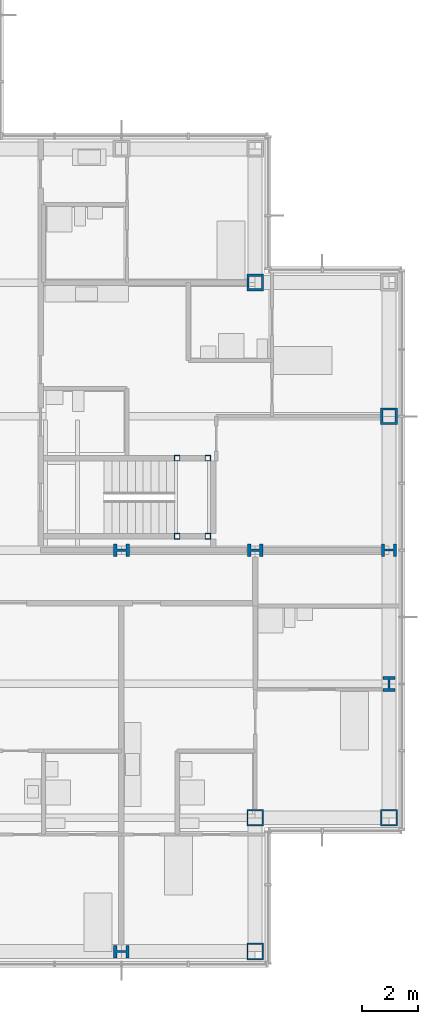
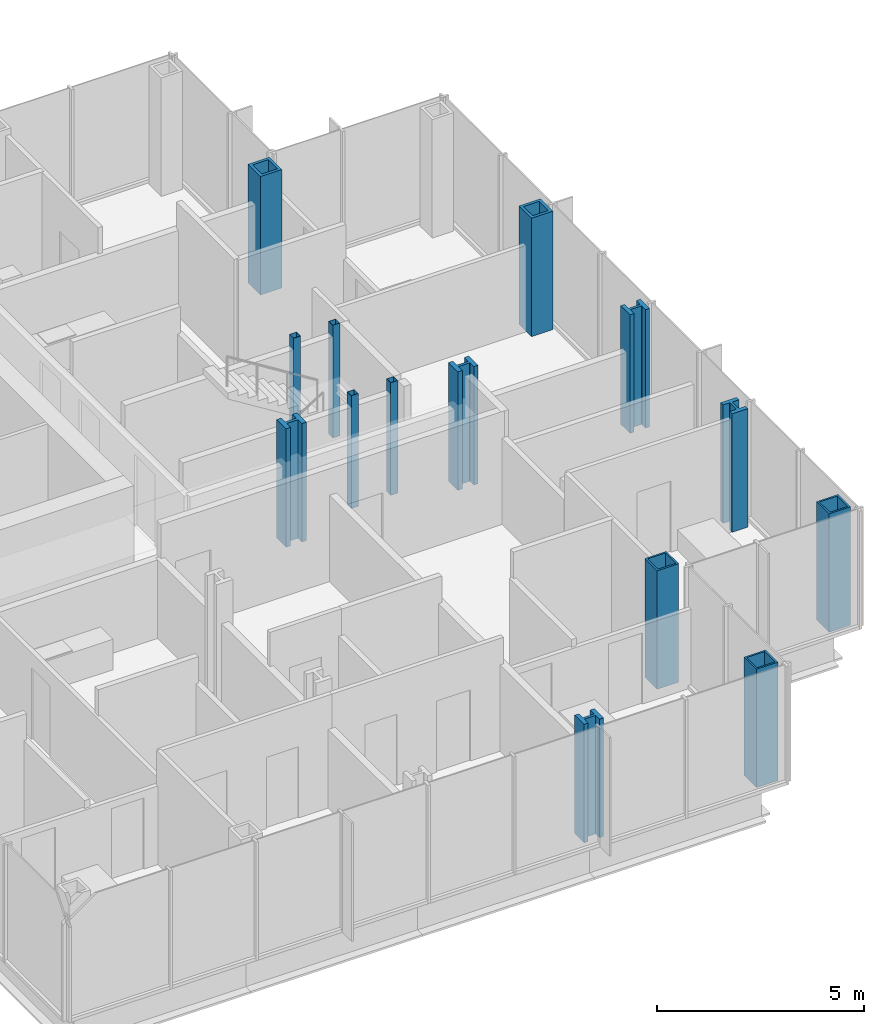
# One storey, part 4 of 20: 14 columns.
"""IFC4 building model written with IfcOpenShell, lengths in metres."""

from ifc_helpers import new_model, si_unit, direction, frame, origin, origin_2d, place, context, subcontext, project, spatial, hollow_rectangle, i_section, extrude, material, material_profile, profile_set, type_object, element, save


model = new_model("IFC4")

# Units and contexts
model_context = context("Model", 3, precision=1e-05, world=origin(), true_north=direction((0.0, 1.0)))
body_context = subcontext(model_context, "Body", "Model", "MODEL_VIEW")
ifc_project = project(units=[si_unit("LENGTHUNIT", "METRE"), si_unit("AREAUNIT", "SQUARE_METRE"), si_unit("VOLUMEUNIT", "CUBIC_METRE"), si_unit("PLANEANGLEUNIT", "RADIAN"), si_unit("MASSUNIT", "GRAM", prefix="KILO")], contexts=[model_context])

# Site, building, storey
site_placement = place(None, origin())
site = spatial("IfcSite", under=ifc_project, at=site_placement, CompositionType="ELEMENT")
building_placement = place(site_placement, origin())
building = spatial("IfcBuilding", under=site, at=building_placement, Name="Kvirike Care Tower", CompositionType="ELEMENT")
storey_placement = place(building_placement, frame((0.0, 0.0, 115.5)))
storey = spatial("IfcBuildingStorey", under=building, at=storey_placement, Name="L31", CompositionType="ELEMENT", Elevation=115.5)

# Columns
ifc_material_1 = material(Name="Steel S460", Category="steel")
ifc_material_profile_1 = material_profile(ifc_material_1, hollow_rectangle(XDim=0.60009765625, YDim=0.60009765625, WallThickness=0.050048828125, at=origin_2d()), Name="BX 600x600x50")
ifc_profile_set_1 = profile_set([ifc_material_profile_1], Name="Steel S460")
column_type_1 = type_object("IfcColumnType", Name="COLUMN BX 600x600x50", PredefinedType="COLUMN", material=ifc_profile_set_1)
for number, where, z_axis, x_axis, name in (
    (1, (38.39990234375, 14.39990234375, 0.0), (0.0, 0.0, 1.0), (0.0, 1.0, 0.0), "Column D11 L31"),
    (2, (38.39990234375, 19.199951171875, 0.0), (0.0, 0.0, 1.0), (0.0, 1.0, 0.0), "Column E11 L31"),
    (3, (43.199951171875, 19.199951171875, 0.0), (0.0, 0.0, 1.0), (0.0, 1.0, 0.0), "Column E12 L31"),
):
    element("IfcColumn", number, at=place(storey_placement, frame(where, z_axis=z_axis, x_axis=x_axis)), inside=storey, type_object=column_type_1, Name=name, PredefinedType="COLUMN", context=body_context, shape_type="SweptSolid", body=[
        extrude(hollow_rectangle(XDim=0.60009765625, YDim=0.60009765625, WallThickness=0.050048828125, at=origin_2d()), origin(), (0.0, 0.0, 1.0), 3.5),
    ])
ifc_material_2 = material(Name="Steel S460", Category="steel")
ifc_material_profile_2 = material_profile(ifc_material_2, hollow_rectangle(XDim=0.60009765625, YDim=0.60009765625, WallThickness=0.080078125, at=origin_2d()), Name="BX 600x600x80")
ifc_profile_set_2 = profile_set([ifc_material_profile_2], Name="Steel S460")
column_type_2 = type_object("IfcColumnType", Name="COLUMN BX 600x600x80", PredefinedType="COLUMN", material=ifc_profile_set_2)
for number, where, z_axis, x_axis, name in (
    (4, (38.39990234375, 38.39990234375, 0.0), (0.0, 0.0, 1.0), (0.0, 1.0, 0.0), "Column J11 L31"),
    (5, (43.199951171875, 33.60009765625, 0.0), (0.0, 0.0, 1.0), (1.0, 0.0, 0.0), "Column H12 L31"),
):
    element("IfcColumn", number, at=place(storey_placement, frame(where, z_axis=z_axis, x_axis=x_axis)), inside=storey, type_object=column_type_2, Name=name, PredefinedType="COLUMN", context=body_context, shape_type="SweptSolid", body=[
        extrude(hollow_rectangle(XDim=0.60009765625, YDim=0.60009765625, WallThickness=0.080078125, at=origin_2d()), origin(), (0.0, 0.0, 1.0), 3.5),
    ])
ifc_material_3 = material(Name="Steel S460", Category="steel")
ifc_material_profile_3 = material_profile(ifc_material_3, i_section(OverallWidth=0.4541015625, OverallDepth=0.569091796875, WebThickness=0.077880859375, FlangeThickness=0.125, FilletRadius=0.014892578125, at=origin_2d()), Name="HD 400x1086")
ifc_profile_set_3 = profile_set([ifc_material_profile_3], Name="Steel S460")
column_type_3 = type_object("IfcColumnType", Name="COLUMN HD 400x1086", PredefinedType="COLUMN", material=ifc_profile_set_3)
for number, where, z_axis, x_axis, name in (
    (6, (33.60009765625, 28.800048828125, 0.0), (0.0, 0.0, 1.0), (0.0, 1.0, 0.0), "Column G10 L31"),
    (7, (38.39990234375, 28.800048828125, 0.0), (0.0, 0.0, 1.0), (0.0, 1.0, 0.0), "Column G11 L31"),
):
    element("IfcColumn", number, at=place(storey_placement, frame(where, z_axis=z_axis, x_axis=x_axis)), inside=storey, type_object=column_type_3, Name=name, PredefinedType="COLUMN", context=body_context, shape_type="SweptSolid", body=[
        extrude(i_section(OverallWidth=0.4541015625, OverallDepth=0.569091796875, WebThickness=0.077880859375, FlangeThickness=0.125, FilletRadius=0.014892578125, at=origin_2d()), origin(), (0.0, 0.0, 1.0), 3.5),
    ])
ifc_material_4 = material(Name="Steel S460", Category="steel")
ifc_material_profile_4 = material_profile(ifc_material_4, i_section(OverallWidth=0.447998046875, OverallDepth=0.550048828125, WebThickness=0.072021484375, FlangeThickness=0.114990234375, FilletRadius=0.014892578125, at=origin_2d()), Name="HD 400x990")
ifc_profile_set_4 = profile_set([ifc_material_profile_4], Name="Steel S460")
column_type_4 = type_object("IfcColumnType", Name="COLUMN HD 400x990", PredefinedType="COLUMN", material=ifc_profile_set_4)
for number, where, z_axis, x_axis, name in (
    (8, (33.60009765625, 14.39990234375, 0.0), (0.0, 0.0, 1.0), (0.0, 1.0, 0.0), "Column D10 L31"),
    (9, (43.199951171875, 24.0, 0.0), (0.0, 0.0, 1.0), (1.0, 0.0, 0.0), "Column F12 L31"),
    (10, (43.199951171875, 28.800048828125, 0.0), (0.0, 0.0, 1.0), (0.0, 1.0, 0.0), "Column G12 L31"),
):
    element("IfcColumn", number, at=place(storey_placement, frame(where, z_axis=z_axis, x_axis=x_axis)), inside=storey, type_object=column_type_4, Name=name, PredefinedType="COLUMN", context=body_context, shape_type="SweptSolid", body=[
        extrude(i_section(OverallWidth=0.447998046875, OverallDepth=0.550048828125, WebThickness=0.072021484375, FlangeThickness=0.114990234375, FilletRadius=0.014892578125, at=origin_2d()), origin(), (0.0, 0.0, 1.0), 3.5),
    ])
ifc_material_5 = material(Name="Steel S460", Category="steel")
ifc_material_profile_5 = material_profile(ifc_material_5, hollow_rectangle(XDim=0.199951171875, YDim=0.199951171875, WallThickness=0.008056640625, at=origin_2d()), Name="SHS 200x200x8")
ifc_profile_set_5 = profile_set([ifc_material_profile_5], Name="Steel S460")
column_type_5 = type_object("IfcColumnType", Name="STAIR POST SHS 200x200x8", PredefinedType="COLUMN", material=ifc_profile_set_5)
for number, where, z_axis, x_axis, name in (
    (11, (36.699951171875, 29.300048828125, 0.0), (0.0, 0.0, 1.0), (1.0, 0.0, 0.0), "Stair 2 post 1 L31"),
    (12, (36.699951171875, 32.10009765625, 0.0), (0.0, 0.0, 1.0), (1.0, 0.0, 0.0), "Stair 2 post 2 L31"),
    (13, (35.60009765625, 29.300048828125, 0.0), (0.0, 0.0, 1.0), (1.0, 0.0, 0.0), "Stair 2 post 3 L31"),
    (14, (35.60009765625, 32.10009765625, 0.0), (0.0, 0.0, 1.0), (1.0, 0.0, 0.0), "Stair 2 post 4 L31"),
):
    element("IfcColumn", number, at=place(storey_placement, frame(where, z_axis=z_axis, x_axis=x_axis)), inside=storey, type_object=column_type_5, Name=name, PredefinedType="COLUMN", context=body_context, shape_type="SweptSolid", body=[
        extrude(hollow_rectangle(XDim=0.199951171875, YDim=0.199951171875, WallThickness=0.008056640625, at=origin_2d()), origin(), (0.0, 0.0, 1.0), 3.330078125),
    ])

save(model, "model.ifc")
